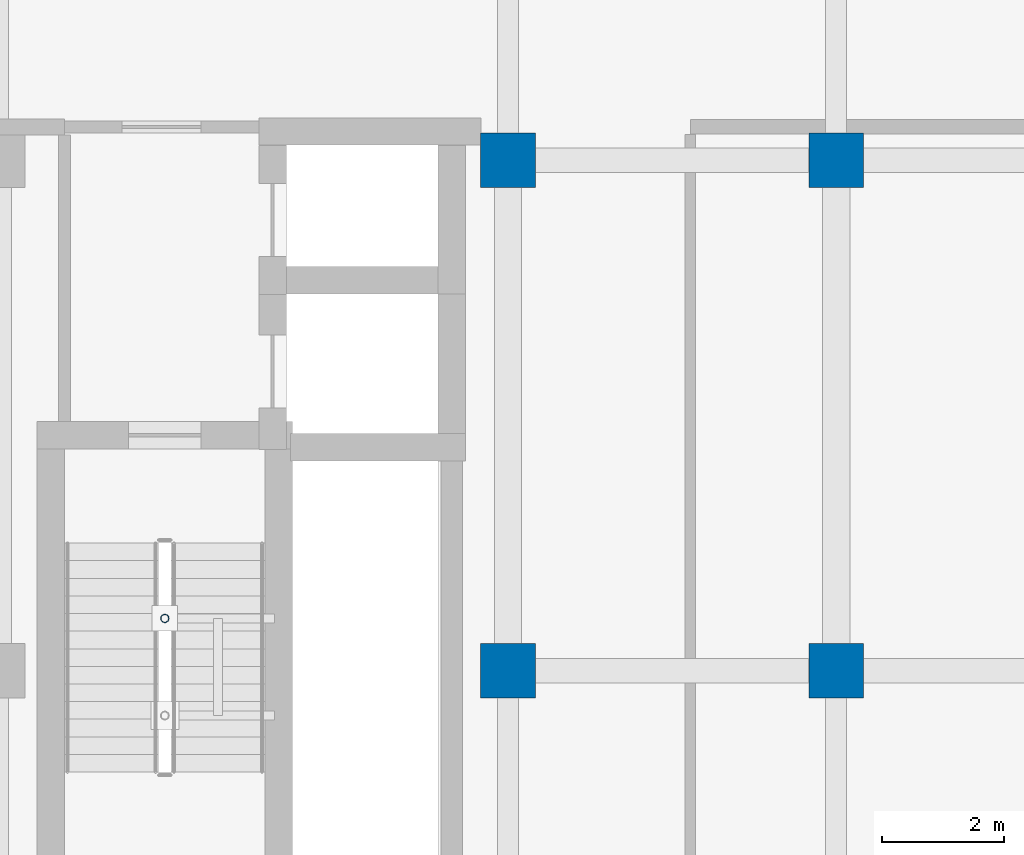
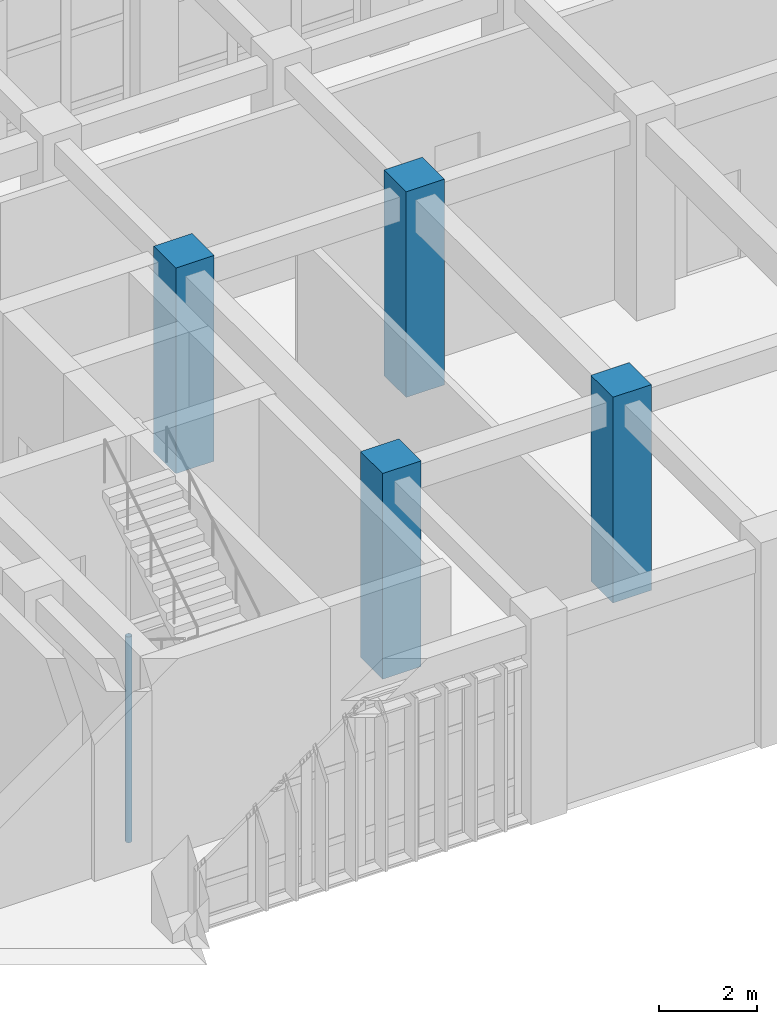
# One storey, part 13 of 106: 5 columns.
"""IFC4 building model written with IfcOpenShell, lengths in metres."""

from ifc_helpers import new_model, si_unit, direction, frame, origin, origin_2d, place, context, subcontext, project, spatial, rectangle, hollow_circle, extrude, material, material_profile, profile_set, type_object, element, save


model = new_model("IFC4")

# Units and contexts
model_context = context("Model", 3, precision=1e-05, world=origin(), true_north=direction((0.0, 1.0)))
body_context = subcontext(model_context, "Body", "Model", "MODEL_VIEW")
ifc_project = project(units=[si_unit("LENGTHUNIT", "METRE"), si_unit("AREAUNIT", "SQUARE_METRE"), si_unit("VOLUMEUNIT", "CUBIC_METRE"), si_unit("PLANEANGLEUNIT", "RADIAN"), si_unit("MASSUNIT", "GRAM", prefix="KILO")], contexts=[model_context])

# Site, building, storey
site_placement = place(None, origin())
site = spatial("IfcSite", under=ifc_project, at=site_placement, CompositionType="ELEMENT")
building_placement = place(site_placement, origin())
building = spatial("IfcBuilding", under=site, at=building_placement, Name="Krzemoval Escarpment Law Courts", CompositionType="ELEMENT")
storey_placement = place(building_placement, frame((0.0, 0.0, 5.10009765625)))
storey = spatial("IfcBuildingStorey", under=building, at=storey_placement, Name="L01", CompositionType="ELEMENT", Elevation=5.10009765625)

# Columns
ifc_material_1 = material(Name="Concrete C50/60", Category="concrete")
ifc_material_profile_1 = material_profile(ifc_material_1, rectangle(XDim=0.89990234375, YDim=0.89990234375, at=origin_2d()), Name="RC 900x900")
ifc_profile_set_1 = profile_set([ifc_material_profile_1], Name="Concrete C50/60")
column_type_1 = type_object("IfcColumnType", Name="COL-RC-900", PredefinedType="COLUMN", material=ifc_profile_set_1)
for number, where, z_axis, x_axis, name in (
    (1, (151.199951171875, 99.60009765625, 0.0), (0.0, 0.0, 1.0), (1.0, 0.0, 0.0), "Column FC-L01-0765"),
    (2, (151.199951171875, 108.0, 0.0), (0.0, 0.0, 1.0), (1.0, 0.0, 0.0), "Column FC-L01-0766"),
    (3, (156.60009765625, 99.60009765625, 0.0), (0.0, 0.0, 1.0), (1.0, 0.0, 0.0), "Column FC-L01-0775"),
    (4, (156.60009765625, 108.0, 0.0), (0.0, 0.0, 1.0), (1.0, 0.0, 0.0), "Column FC-L01-0776"),
):
    element("IfcColumn", number, at=place(storey_placement, frame(where, z_axis=z_axis, x_axis=x_axis)), inside=storey, type_object=column_type_1, Name=name, PredefinedType="COLUMN", context=body_context, shape_type="SweptSolid", body=[
        extrude(rectangle(XDim=0.89990234375, YDim=0.89990234375, at=origin_2d()), origin(), (0.0, 0.0, 1.0), 5.099853515625),
    ])
ifc_material_2 = material(Name="Steel S355", Category="steel")
ifc_material_profile_2 = material_profile(ifc_material_2, hollow_circle(Radius=0.06982421875, WallThickness=0.008056640625, at=origin_2d()), Name="CHS 139.7x8")
ifc_profile_set_2 = profile_set([ifc_material_profile_2], Name="Steel S355")
column_type_2 = type_object("IfcColumnType", Name="COL-S355-CHS140", PredefinedType="COLUMN", material=ifc_profile_set_2)
column_placement = place(storey_placement, frame((145.550048828125, 100.4599609375, -2.97998046875), z_axis=(0.0, 0.0, 1.0), x_axis=(1.0, 0.0, 0.0)))
element("IfcColumn", 5, at=column_placement, inside=storey, type_object=column_type_2, Name="Stair Well Post SCP-C3-L01-2", PredefinedType="COLUMN", context=body_context, shape_type="SweptSolid", body=[
    extrude(hollow_circle(Radius=0.06982421875, WallThickness=0.008056640625, at=origin_2d()), origin(), (0.0, 0.0, 1.0), 5.099853515625),
])

save(model, "model.ifc")
